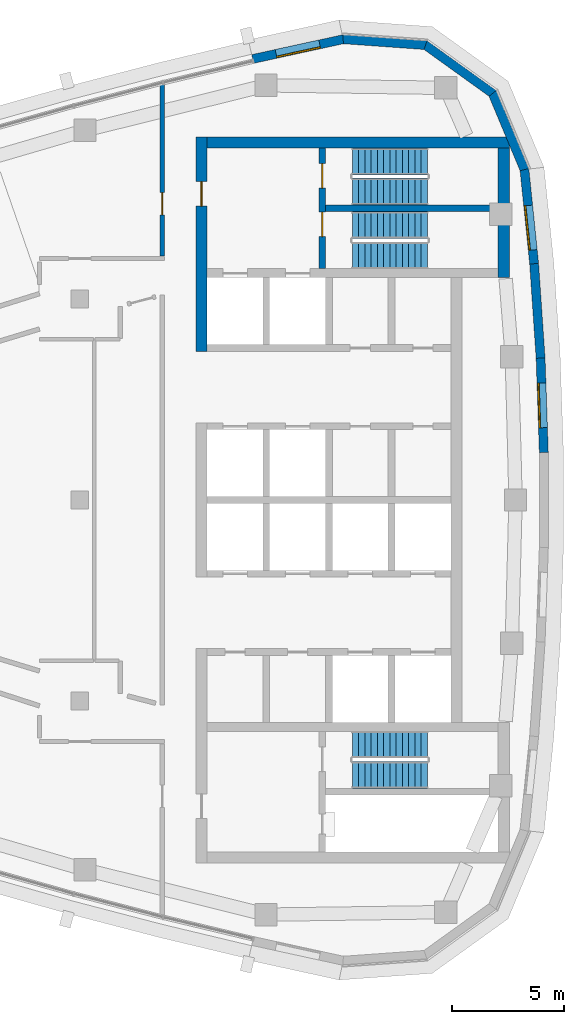
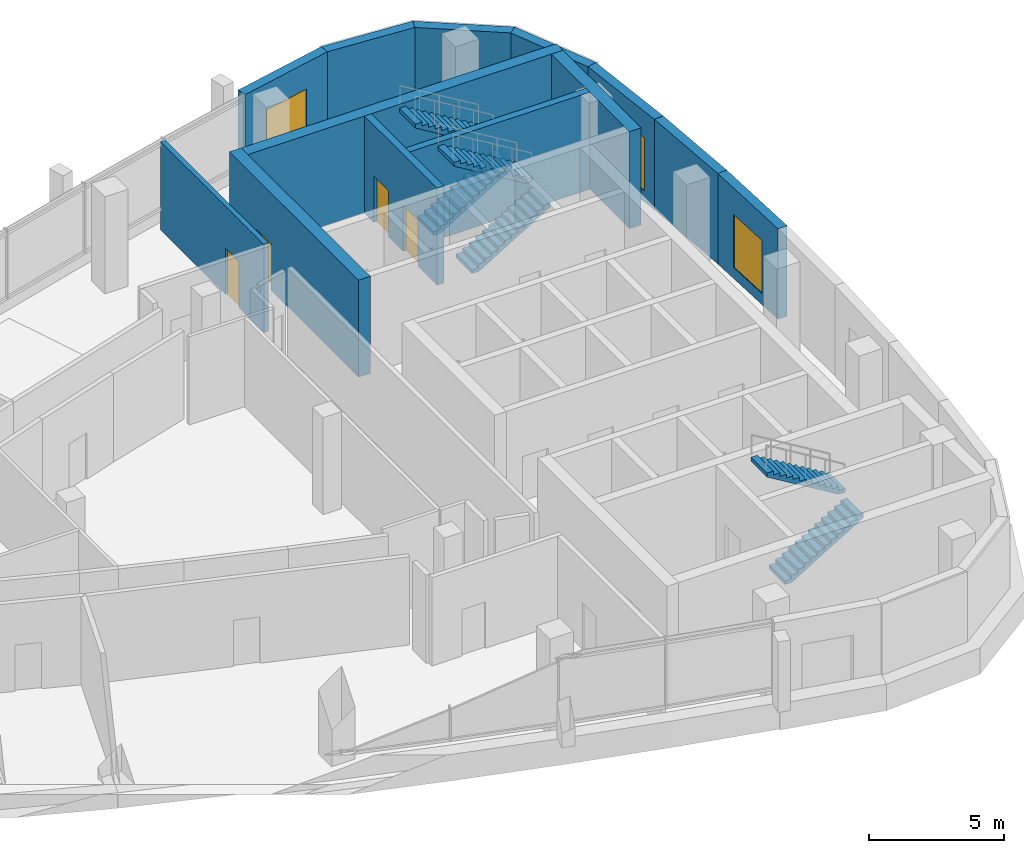
# One storey, part 10 of 15: 13 walls, 6 stair flights, 4 doors, 3 windows, 7 openings, 3 elements without a shape of their own.
"""IFC4 building model written with IfcOpenShell, lengths in metres."""

from ifc_helpers import new_model, si_unit, direction, frame, frame_2d, origin, place, context, subcontext, project, spatial, polyline, rectangle, outline, extrude, material, layer, layer_set, type_object, element, fill, aggregate, save


model = new_model("IFC4")

# Units and contexts
model_context = context("Model", 3, precision=1e-05, world=origin(), true_north=direction((0.0, 1.0)))
body_context = subcontext(model_context, "Body", "Model", "MODEL_VIEW")
ifc_project = project(units=[si_unit("LENGTHUNIT", "METRE"), si_unit("AREAUNIT", "SQUARE_METRE"), si_unit("VOLUMEUNIT", "CUBIC_METRE"), si_unit("PLANEANGLEUNIT", "RADIAN"), si_unit("MASSUNIT", "GRAM", prefix="KILO")], contexts=[model_context])

# Site, building, storey
site_placement = place(None, origin())
site = spatial("IfcSite", under=ifc_project, at=site_placement, CompositionType="ELEMENT")
building_placement = place(site_placement, origin())
building = spatial("IfcBuilding", under=site, at=building_placement, Name="Ostrand Prow Hotel Tower", CompositionType="ELEMENT")
storey_placement = place(building_placement, frame((0.0, 0.0, 318.60009765625)))
storey = spatial("IfcBuildingStorey", under=building, at=storey_placement, Name="C3", CompositionType="ELEMENT", Elevation=318.60009765625)

# Wall, openings, doors
ifc_material_1 = material(Name="Concrete C40/50", Category="concrete")
ifc_layer_1 = layer(ifc_material_1, 0.300048828125)
ifc_layer_set_1 = layer_set([ifc_layer_1], Name="Concrete C40/50")
wall_type_1 = type_object("IfcWallType", Name="Core wall 300 C40/50", PredefinedType="SHEAR", material=ifc_layer_set_1)
wall_1_placement = place(storey_placement, frame((55.85009765625, 10.35009765625, 0.0), z_axis=(0.0, 0.0, 1.0), x_axis=(0.0, 1.0, 0.0)))
wall_1 = element("IfcWall", 1, at=wall_1_placement, inside=storey, type_object=wall_type_1, Name="Core wall PW-VN", PredefinedType="SHEAR", context=body_context, shape_type="SweptSolid", body=[
    extrude(rectangle(XDim=5.39990234375, YDim=0.300048828125, at=frame_2d((2.699951171875, 0.0))), origin(), (0.0, 0.0, 1.0), 4.39990234375),
])
opening_1_placement = place(wall_1_placement, frame((1.429931640625, 0.0, 0.0)))
opening_1 = element("IfcOpeningElement", 2, at=opening_1_placement, cuts=wall_1, Name="Opening FD1", PredefinedType="OPENING", context=body_context, shape_type="SweptSolid", body=[
    extrude(rectangle(XDim=1.10009765625, YDim=2.10009765625, at=frame_2d((0.550048828125, 1.050048828125))), frame((0.0, 0.159912109375, 0.0), z_axis=(0.0, -1.0, 0.0), x_axis=(1.0, 0.0, 0.0)), (0.0, 0.0, 1.0), 0.320068359375),
])
opening_2_placement = place(wall_1_placement, frame((3.60009765625, 0.0, 0.0)))
opening_2 = element("IfcOpeningElement", 3, at=opening_2_placement, cuts=wall_1, Name="Opening FD1", PredefinedType="OPENING", context=body_context, shape_type="SweptSolid", body=[
    extrude(rectangle(XDim=1.10009765625, YDim=2.10009765625, at=frame_2d((0.550048828125, 1.050048828125))), frame((0.0, 0.159912109375, 0.0), z_axis=(0.0, -1.0, 0.0), x_axis=(1.0, 0.0, 0.0)), (0.0, 0.0, 1.0), 0.320068359375),
])
ifc_material_2 = material(Name="Steel fire door", Category="steel")
door_type_1 = type_object("IfcDoorType", Name="Fire door 1100 EI120", OperationType="SINGLE_SWING_RIGHT", PredefinedType="DOOR", material=ifc_material_2)
door_1_placement = place(opening_1_placement, origin())
door_1 = element("IfcDoor", 4, at=door_1_placement, inside=storey, type_object=door_type_1, Name="FIRE DOOR", OperationType="SINGLE_SWING_RIGHT", OverallHeight=2.10009765625, OverallWidth=1.10009765625, PredefinedType="DOOR", context=body_context, shape_type="SweptSolid", body=[
    extrude(rectangle(XDim=1.10009765625, YDim=2.10009765625, at=frame_2d((0.550048828125, 1.050048828125))), frame((0.0, 0.02490234375, 0.0), z_axis=(0.0, -1.0, 0.0), x_axis=(1.0, 0.0, 0.0)), (0.0, 0.0, 1.0), 0.050048828125),
])
fill(opening_1, door_1)
door_2_placement = place(opening_2_placement, origin())
door_2 = element("IfcDoor", 5, at=door_2_placement, inside=storey, type_object=door_type_1, Name="FIRE DOOR", OperationType="SINGLE_SWING_RIGHT", OverallHeight=2.10009765625, OverallWidth=1.10009765625, PredefinedType="DOOR", context=body_context, shape_type="SweptSolid", body=[
    extrude(rectangle(XDim=1.10009765625, YDim=2.10009765625, at=frame_2d((0.550048828125, 1.050048828125))), frame((0.0, 0.02490234375, 0.0), z_axis=(0.0, -1.0, 0.0), x_axis=(1.0, 0.0, 0.0)), (0.0, 0.0, 1.0), 0.050048828125),
])
fill(opening_2, door_2)

# Wall
wall_2_placement = place(storey_placement, frame((56.0, 13.050048828125, 0.0), z_axis=(0.0, 0.0, 1.0), x_axis=(1.0, 0.0, 0.0)))
element("IfcWall", 6, at=wall_2_placement, inside=storey, type_object=wall_type_1, Name="Core wall PW-ST13", PredefinedType="SHEAR", context=body_context, shape_type="SweptSolid", body=[
    extrude(rectangle(XDim=7.719970703125, YDim=0.300048828125, at=frame_2d((3.85986328125, 0.0))), origin(), (0.0, 0.0, 1.0), 4.39990234375),
])

# Wall, opening, door
ifc_material_3 = material(Name="Concrete C40/50", Category="concrete")
ifc_layer_2 = layer(ifc_material_3, 0.5)
ifc_layer_set_2 = layer_set([ifc_layer_2], Name="Concrete C40/50")
wall_type_2 = type_object("IfcWallType", Name="Core wall 500 C40/50", PredefinedType="SHEAR", material=ifc_layer_set_2)
wall_3_placement = place(storey_placement, frame((50.449951171875, 6.64990234375, 0.0), z_axis=(0.0, 0.0, 1.0), x_axis=(0.0, 1.0, 0.0)))
wall_3 = element("IfcWall", 7, at=wall_3_placement, inside=storey, type_object=wall_type_2, Name="Core wall CW-W-N", PredefinedType="SHEAR", context=body_context, shape_type="SweptSolid", body=[
    extrude(rectangle(XDim=9.60009765625, YDim=0.5, at=frame_2d((4.800048828125, 0.0))), origin(), (0.0, 0.0, 1.0), 4.39990234375),
])
opening_3_placement = place(wall_3_placement, frame((6.5, 0.0, 0.0)))
opening_3 = element("IfcOpeningElement", 8, at=opening_3_placement, cuts=wall_3, Name="Opening FD1", PredefinedType="OPENING", context=body_context, shape_type="SweptSolid", body=[
    extrude(rectangle(XDim=1.10009765625, YDim=2.10009765625, at=frame_2d((0.550048828125, 1.050048828125))), frame((0.0, 0.260009765625, 0.0), z_axis=(0.0, -1.0, 0.0), x_axis=(1.0, 0.0, 0.0)), (0.0, 0.0, 1.0), 0.52001953125),
])
door_3_placement = place(opening_3_placement, origin())
door_3 = element("IfcDoor", 9, at=door_3_placement, inside=storey, type_object=door_type_1, Name="FIRE DOOR", OperationType="SINGLE_SWING_RIGHT", OverallHeight=2.10009765625, OverallWidth=1.10009765625, PredefinedType="DOOR", context=body_context, shape_type="SweptSolid", body=[
    extrude(rectangle(XDim=1.10009765625, YDim=2.10009765625, at=frame_2d((0.550048828125, 1.050048828125))), frame((0.0, 0.02490234375, 0.0), z_axis=(0.0, -1.0, 0.0), x_axis=(1.0, 0.0, 0.0)), (0.0, 0.0, 1.0), 0.050048828125),
])
fill(opening_3, door_3)

# Walls
wall_4_placement = place(storey_placement, frame((50.699951171875, 16.0, 0.0), z_axis=(0.0, 0.0, 1.0), x_axis=(1.0, 0.0, 0.0)))
element("IfcWall", 10, at=wall_4_placement, inside=storey, type_object=wall_type_2, Name="Core wall CW-N", PredefinedType="SHEAR", context=body_context, shape_type="SweptSolid", body=[
    extrude(rectangle(XDim=13.52001953125, YDim=0.5, at=frame_2d((6.760009765625, 0.0))), origin(), (0.0, 0.0, 1.0), 4.39990234375),
])
wall_5_placement = place(storey_placement, frame((63.969970703125, 9.949951171875, 0.0), z_axis=(0.0, 0.0, 1.0), x_axis=(0.0, 1.0, 0.0)))
element("IfcWall", 11, at=wall_5_placement, inside=storey, type_object=wall_type_2, Name="Core wall CW-E-N", PredefinedType="SHEAR", context=body_context, shape_type="SweptSolid", body=[
    extrude(rectangle(XDim=5.800048828125, YDim=0.5, at=frame_2d((2.89990234375, 0.0))), origin(), (0.0, 0.0, 1.0), 4.39990234375),
])

# Wall, opening, door
ifc_material_4 = material(Name="Plasterboard partition")
ifc_layer_3 = layer(ifc_material_4, 0.199951171875)
ifc_layer_set_3 = layer_set([ifc_layer_3], Name="Plasterboard partition")
wall_type_3 = type_object("IfcWallType", Name="Partition 200 corridor wall", PredefinedType="PARTITIONING", material=ifc_layer_set_3)
wall_6_placement = place(storey_placement, frame((48.695068359375, 18.589111328125, 0.0), z_axis=(0.0, 0.0, 1.0), x_axis=(0.0, -1.0, 0.0)))
wall_6 = element("IfcWall", 12, at=wall_6_placement, inside=storey, type_object=wall_type_3, Name="CORRIDOR WALL", PredefinedType="PARTITIONING", context=body_context, shape_type="SweptSolid", body=[
    extrude(rectangle(XDim=7.674072265625, YDim=0.199951171875, at=frame_2d((3.8369140625, 0.0))), origin(), (0.0, 0.0, 1.0), 4.0),
])
opening_4_placement = place(wall_6_placement, frame((4.835693359375, 0.0, 0.0)))
opening_4 = element("IfcOpeningElement", 13, at=opening_4_placement, cuts=wall_6, Name="Opening D1", PredefinedType="OPENING", context=body_context, shape_type="SweptSolid", body=[
    extrude(rectangle(XDim=1.0, YDim=2.10009765625, at=frame_2d((0.5, 1.050048828125))), frame((0.0, 0.10986328125, 0.0), z_axis=(0.0, -1.0, 0.0), x_axis=(1.0, 0.0, 0.0)), (0.0, 0.0, 1.0), 0.219970703125),
])
ifc_material_5 = material(Name="Timber door leaf", Category="wood")
door_type_2 = type_object("IfcDoorType", Name="Guest room door 1000", OperationType="SINGLE_SWING_LEFT", PredefinedType="DOOR", material=ifc_material_5)
door_4_placement = place(opening_4_placement, origin())
door_4 = element("IfcDoor", 14, at=door_4_placement, inside=storey, type_object=door_type_2, Name="DOOR", OperationType="SINGLE_SWING_LEFT", OverallHeight=2.10009765625, OverallWidth=1.0, PredefinedType="DOOR", context=body_context, shape_type="SweptSolid", body=[
    extrude(rectangle(XDim=1.0, YDim=2.10009765625, at=frame_2d((0.5, 1.050048828125))), frame((0.0, 0.02490234375, 0.0), z_axis=(0.0, -1.0, 0.0), x_axis=(1.0, 0.0, 0.0)), (0.0, 0.0, 1.0), 0.050048828125),
])
fill(opening_4, door_4)

# Wall, opening, window
ifc_material_6 = material(Name="Precast concrete C40/50", Category="concrete")
ifc_layer_4 = layer(ifc_material_6, 0.39990234375)
ifc_layer_set_4 = layer_set([ifc_layer_4], Name="Precast concrete C40/50")
wall_type_4 = type_object("IfcWallType", Name="Stone-faced precast wall 400 mm", PredefinedType="NOTDEFINED", material=ifc_layer_set_4)
wall_7_placement = place(storey_placement, frame((65.764404296875, 2.11669921875, 0.0), z_axis=(0.0, 0.0, 1.0), x_axis=(-0.034082898699, 0.999419009233, 0.0)))
wall_7 = element("IfcWall", 15, at=wall_7_placement, inside=storey, type_object=wall_type_4, Name="Stone-faced wall back 9", PredefinedType="NOTDEFINED", context=body_context, shape_type="SweptSolid", body=[
    extrude(outline(polyline([(-0.00341796875, -0.199951171875), (4.23681640625, -0.199951171875), (4.22998046875, 0.199951171875), (0.00341796875, 0.199951171875), (-0.00341796875, -0.199951171875)])), origin(), (0.0, 0.0, 1.0), 4.099853515625),
])
opening_5_placement = place(wall_7_placement, frame((1.11669921875, 0.0, 0.5)))
opening_5 = element("IfcOpeningElement", 16, at=opening_5_placement, cuts=wall_7, Name="Opening WL1", PredefinedType="OPENING", context=body_context, shape_type="SweptSolid", body=[
    extrude(rectangle(XDim=2.0, YDim=2.39990234375, at=frame_2d((1.0, 1.199951171875))), frame((0.0, 0.2099609375, 0.0), z_axis=(0.0, -1.0, 0.0), x_axis=(1.0, 0.0, 0.0)), (0.0, 0.0, 1.0), 0.419921875),
])
ifc_material_7 = material(Name="Insulated glass in bronze frame", Category="glass")
window_type = type_object("IfcWindowType", Name="Crown lounge window 2000x2400", PartitioningType="SINGLE_PANEL", PredefinedType="WINDOW", material=ifc_material_7)
window_1_placement = place(opening_5_placement, origin())
window_1 = element("IfcWindow", 17, at=window_1_placement, inside=storey, type_object=window_type, Name="Window back 9.1", OverallHeight=2.39990234375, OverallWidth=2.0, PartitioningType="SINGLE_PANEL", PredefinedType="WINDOW", context=body_context, shape_type="SweptSolid", body=[
    extrude(rectangle(XDim=2.0, YDim=2.39990234375, at=frame_2d((1.0, 1.199951171875))), frame((0.0, 0.169921875, 0.0), z_axis=(0.0, -1.0, 0.0), x_axis=(1.0, 0.0, 0.0)), (0.0, 0.0, 1.0), 0.06005859375),
])
fill(opening_5, window_1)

# Wall
wall_8_placement = place(storey_placement, frame((65.6201171875, 6.34765625, 0.0), z_axis=(0.0, 0.0, 1.0), x_axis=(-0.068279584479, 0.997666225921, 0.0)))
element("IfcWall", 18, at=wall_8_placement, inside=storey, type_object=wall_type_4, Name="Stone-faced wall back 10", PredefinedType="NOTDEFINED", context=body_context, shape_type="SweptSolid", body=[
    extrude(outline(polyline([(-0.00341796875, -0.199951171875), (4.23681640625, -0.199951171875), (4.22998046875, 0.199951171875), (0.00341796875, 0.199951171875), (-0.00341796875, -0.199951171875)])), origin(), (0.0, 0.0, 1.0), 4.099853515625),
])

# Wall, opening, window
wall_9_placement = place(storey_placement, frame((65.3310546875, 10.5712890625, 0.0), z_axis=(0.0, 0.0, 1.0), x_axis=(-0.102249826987, 0.994758751096, 0.0)))
wall_9 = element("IfcWall", 19, at=wall_9_placement, inside=storey, type_object=wall_type_4, Name="Stone-faced wall back 11", PredefinedType="NOTDEFINED", context=body_context, shape_type="SweptSolid", body=[
    extrude(outline(polyline([(-0.00341796875, -0.199951171875), (4.262939453125, -0.199951171875), (4.203857421875, 0.199951171875), (0.00341796875, 0.199951171875), (-0.00341796875, -0.199951171875)])), origin(), (0.0, 0.0, 1.0), 4.099853515625),
])
opening_6_placement = place(wall_9_placement, frame((0.61669921875, 0.0, 0.5)))
opening_6 = element("IfcOpeningElement", 20, at=opening_6_placement, cuts=wall_9, Name="Opening WL1", PredefinedType="OPENING", context=body_context, shape_type="SweptSolid", body=[
    extrude(rectangle(XDim=2.0, YDim=2.39990234375, at=frame_2d((1.0, 1.199951171875))), frame((0.0, 0.2099609375, 0.0), z_axis=(0.0, -1.0, 0.0), x_axis=(1.0, 0.0, 0.0)), (0.0, 0.0, 1.0), 0.419921875),
])
window_2_placement = place(opening_6_placement, origin())
window_2 = element("IfcWindow", 21, at=window_2_placement, inside=storey, type_object=window_type, Name="Window back 11.1", OverallHeight=2.39990234375, OverallWidth=2.0, PartitioningType="SINGLE_PANEL", PredefinedType="WINDOW", context=body_context, shape_type="SweptSolid", body=[
    extrude(rectangle(XDim=2.0, YDim=2.39990234375, at=frame_2d((1.0, 1.199951171875))), frame((0.0, 0.169921875, 0.0), z_axis=(0.0, -1.0, 0.0), x_axis=(1.0, 0.0, 0.0)), (0.0, 0.0, 1.0), 0.06005859375),
])
fill(opening_6, window_2)

# Walls
wall_10_placement = place(storey_placement, frame((64.898193359375, 14.782470703125, 0.0), z_axis=(0.0, 0.0, 1.0), x_axis=(-0.385285857918, 0.922797273343, 0.0)))
element("IfcWall", 22, at=wall_10_placement, inside=storey, type_object=wall_type_4, Name="Stone-faced wall back 12", PredefinedType="NOTDEFINED", context=body_context, shape_type="SweptSolid", body=[
    extrude(outline(polyline([(-0.029541015625, -0.199951171875), (3.75341796875, -0.199951171875), (3.64013671875, 0.199951171875), (0.029541015625, 0.199951171875), (-0.029541015625, -0.199951171875)])), origin(), (0.0, 0.0, 1.0), 4.099853515625),
])
wall_11_placement = place(storey_placement, frame((63.473876953125, 18.19384765625, 0.0), z_axis=(0.0, 0.0, 1.0), x_axis=(-0.811962548682, 0.583709533533, 0.0)))
element("IfcWall", 23, at=wall_11_placement, inside=storey, type_object=wall_type_4, Name="Stone-faced wall back 13", PredefinedType="NOTDEFINED", context=body_context, shape_type="SweptSolid", body=[
    extrude(outline(polyline([(-0.056640625, -0.199951171875), (3.753173828125, -0.199951171875), (3.639892578125, 0.199951171875), (0.056640625, 0.199951171875), (-0.056640625, -0.199951171875)])), origin(), (0.0, 0.0, 1.0), 4.099853515625),
])
wall_12_placement = place(storey_placement, frame((60.472412109375, 20.3515625, 0.0), z_axis=(0.0, 0.0, 1.0), x_axis=(-0.99746272096, 0.071190731806, 0.0)))
element("IfcWall", 24, at=wall_12_placement, inside=storey, type_object=wall_type_4, Name="Stone-faced wall back 14", PredefinedType="NOTDEFINED", context=body_context, shape_type="SweptSolid", body=[
    extrude(outline(polyline([(-0.056640625, -0.199951171875), (3.7255859375, -0.199951171875), (3.66796875, 0.199951171875), (0.056640625, 0.199951171875), (-0.056640625, -0.199951171875)])), origin(), (0.0, 0.0, 1.0), 4.099853515625),
])

# Wall, opening, window
wall_13_placement = place(storey_placement, frame((56.784912109375, 20.61474609375, 0.0), z_axis=(0.0, 0.0, 1.0), x_axis=(-0.977020225348, -0.213146614471, 0.0)))
wall_13 = element("IfcWall", 25, at=wall_13_placement, inside=storey, type_object=wall_type_4, Name="Stone-faced wall back 15", PredefinedType="NOTDEFINED", context=body_context, shape_type="SweptSolid", body=[
    extrude(outline(polyline([(-0.02880859375, -0.199951171875), (4.141845703125, -0.199951171875), (4.141845703125, 0.199951171875), (0.02880859375, 0.199951171875), (-0.02880859375, -0.199951171875)])), origin(), (0.0, 0.0, 1.0), 4.099853515625),
])
opening_7_placement = place(wall_13_placement, frame((1.07080078125, 0.0, 0.5)))
opening_7 = element("IfcOpeningElement", 26, at=opening_7_placement, cuts=wall_13, Name="Opening WL1", PredefinedType="OPENING", context=body_context, shape_type="SweptSolid", body=[
    extrude(rectangle(XDim=2.0, YDim=2.39990234375, at=frame_2d((1.0, 1.199951171875))), frame((0.0, 0.2099609375, 0.0), z_axis=(0.0, -1.0, 0.0), x_axis=(1.0, 0.0, 0.0)), (0.0, 0.0, 1.0), 0.419921875),
])
window_3_placement = place(opening_7_placement, origin())
window_3 = element("IfcWindow", 27, at=window_3_placement, inside=storey, type_object=window_type, Name="Window back 15.1", OverallHeight=2.39990234375, OverallWidth=2.0, PartitioningType="SINGLE_PANEL", PredefinedType="WINDOW", context=body_context, shape_type="SweptSolid", body=[
    extrude(rectangle(XDim=2.0, YDim=2.39990234375, at=frame_2d((1.0, 1.199951171875))), frame((0.0, 0.169921875, 0.0), z_axis=(0.0, -1.0, 0.0), x_axis=(1.0, 0.0, 0.0)), (0.0, 0.0, 1.0), 0.06005859375),
])
fill(opening_7, window_3)

# Stair, stair flights
ifc_material_8 = material(Name="Concrete C40/50", Category="concrete")
stair_type = type_object("IfcStairType", Name="Exit stair 1200 upper zone", PredefinedType="HALF_TURN_STAIR", material=ifc_material_8)
stair_1_placement = place(storey_placement, origin())
stair_1 = element("IfcStair", 28, at=stair_1_placement, inside=storey, type_object=stair_type, Name="C3 ST1C", PredefinedType="HALF_TURN_STAIR")
ifc_material_9 = material(Name="Concrete C40/50", Category="concrete")
stair_flight_type = type_object("IfcStairFlightType", Name="Stair flight 1200 concrete", PredefinedType="STRAIGHT", material=ifc_material_9)
stair_flight_1_placement = place(storey_placement, frame((57.199951171875, 10.949951171875, 0.0), z_axis=(0.0, 0.0, 1.0), x_axis=(1.0, 0.0, 0.0)))
stair_flight_1 = element("IfcStairFlight", 29, at=stair_flight_1_placement, type_object=stair_flight_type, Name="ST1C flight 1", NumberOfRisers=13, NumberOfTreads=12, PredefinedType="STRAIGHT", RiserHeight=0.169230769, TreadLength=0.28, context=body_context, shape_type="SweptSolid", body=[
    extrude(outline(polyline([(0.0, 0.0), (0.0, 0.169189453125), (0.280029296875, 0.169189453125), (0.280029296875, 0.33837890625), (0.56005859375, 0.33837890625), (0.56005859375, 0.5078125), (0.840087890625, 0.5078125), (0.840087890625, 0.677001953125), (1.1201171875, 0.677001953125), (1.1201171875, 0.84619140625), (1.39990234375, 0.84619140625), (1.39990234375, 1.015380859375), (1.679931640625, 1.015380859375), (1.679931640625, 1.1845703125), (1.9599609375, 1.1845703125), (1.9599609375, 1.353759765625), (2.239990234375, 1.353759765625), (2.239990234375, 1.523193359375), (2.52001953125, 1.523193359375), (2.52001953125, 1.6923828125), (2.800048828125, 1.6923828125), (2.800048828125, 1.861572265625), (3.080078125, 1.861572265625), (3.080078125, 2.03076171875), (3.360107421875, 2.03076171875), (3.360107421875, 2.199951171875), (3.360107421875, 1.855712890625), (0.289794921875, 0.0), (0.0, 0.0)])), frame((0.0, 0.60009765625, 0.0), z_axis=(0.0, -1.0, 0.0), x_axis=(1.0, 0.0, 0.0)), (0.0, 0.0, 1.0), 1.199951171875),
])
stair_flight_2_placement = place(storey_placement, frame((60.56005859375, 12.300048828125, 2.199951171875), z_axis=(0.0, 0.0, 1.0), x_axis=(-1.0, 0.0, 0.0)))
stair_flight_2 = element("IfcStairFlight", 30, at=stair_flight_2_placement, type_object=stair_flight_type, Name="ST1C flight 2", NumberOfRisers=13, NumberOfTreads=12, PredefinedType="STRAIGHT", RiserHeight=0.169230769, TreadLength=0.28, context=body_context, shape_type="SweptSolid", body=[
    extrude(outline(polyline([(0.0, 0.0), (0.0, 0.169189453125), (0.280029296875, 0.169189453125), (0.280029296875, 0.33837890625), (0.56005859375, 0.33837890625), (0.56005859375, 0.5078125), (0.840087890625, 0.5078125), (0.840087890625, 0.677001953125), (1.1201171875, 0.677001953125), (1.1201171875, 0.84619140625), (1.39990234375, 0.84619140625), (1.39990234375, 1.015380859375), (1.679931640625, 1.015380859375), (1.679931640625, 1.1845703125), (1.9599609375, 1.1845703125), (1.9599609375, 1.353759765625), (2.239990234375, 1.353759765625), (2.239990234375, 1.523193359375), (2.52001953125, 1.523193359375), (2.52001953125, 1.6923828125), (2.800048828125, 1.6923828125), (2.800048828125, 1.861572265625), (3.080078125, 1.861572265625), (3.080078125, 2.03076171875), (3.360107421875, 2.03076171875), (3.360107421875, 2.199951171875), (3.360107421875, 1.855712890625), (0.289794921875, 0.0), (0.0, 0.0)])), frame((0.0, 0.60009765625, 0.0), z_axis=(0.0, -1.0, 0.0), x_axis=(1.0, 0.0, 0.0)), (0.0, 0.0, 1.0), 1.199951171875),
])
aggregate(stair_1, [stair_flight_1, stair_flight_2])

stair_2_placement = place(storey_placement, origin())
stair_2 = element("IfcStair", 31, at=stair_2_placement, inside=storey, type_object=stair_type, Name="C3 ST3C", PredefinedType="HALF_TURN_STAIR")
stair_flight_3_placement = place(storey_placement, frame((57.199951171875, 13.800048828125, 0.0), z_axis=(0.0, 0.0, 1.0), x_axis=(1.0, 0.0, 0.0)))
stair_flight_3 = element("IfcStairFlight", 32, at=stair_flight_3_placement, type_object=stair_flight_type, Name="ST3C flight 1", NumberOfRisers=13, NumberOfTreads=12, PredefinedType="STRAIGHT", RiserHeight=0.169230769, TreadLength=0.28, context=body_context, shape_type="SweptSolid", body=[
    extrude(outline(polyline([(0.0, 0.0), (0.0, 0.169189453125), (0.280029296875, 0.169189453125), (0.280029296875, 0.33837890625), (0.56005859375, 0.33837890625), (0.56005859375, 0.5078125), (0.840087890625, 0.5078125), (0.840087890625, 0.677001953125), (1.1201171875, 0.677001953125), (1.1201171875, 0.84619140625), (1.39990234375, 0.84619140625), (1.39990234375, 1.015380859375), (1.679931640625, 1.015380859375), (1.679931640625, 1.1845703125), (1.9599609375, 1.1845703125), (1.9599609375, 1.353759765625), (2.239990234375, 1.353759765625), (2.239990234375, 1.523193359375), (2.52001953125, 1.523193359375), (2.52001953125, 1.6923828125), (2.800048828125, 1.6923828125), (2.800048828125, 1.861572265625), (3.080078125, 1.861572265625), (3.080078125, 2.03076171875), (3.360107421875, 2.03076171875), (3.360107421875, 2.199951171875), (3.360107421875, 1.855712890625), (0.289794921875, 0.0), (0.0, 0.0)])), frame((0.0, 0.60009765625, 0.0), z_axis=(0.0, -1.0, 0.0), x_axis=(1.0, 0.0, 0.0)), (0.0, 0.0, 1.0), 1.199951171875),
])
stair_flight_4_placement = place(storey_placement, frame((60.56005859375, 15.14990234375, 2.199951171875), z_axis=(0.0, 0.0, 1.0), x_axis=(-1.0, 0.0, 0.0)))
stair_flight_4 = element("IfcStairFlight", 33, at=stair_flight_4_placement, type_object=stair_flight_type, Name="ST3C flight 2", NumberOfRisers=13, NumberOfTreads=12, PredefinedType="STRAIGHT", RiserHeight=0.169230769, TreadLength=0.28, context=body_context, shape_type="SweptSolid", body=[
    extrude(outline(polyline([(0.0, 0.0), (0.0, 0.169189453125), (0.280029296875, 0.169189453125), (0.280029296875, 0.33837890625), (0.56005859375, 0.33837890625), (0.56005859375, 0.5078125), (0.840087890625, 0.5078125), (0.840087890625, 0.677001953125), (1.1201171875, 0.677001953125), (1.1201171875, 0.84619140625), (1.39990234375, 0.84619140625), (1.39990234375, 1.015380859375), (1.679931640625, 1.015380859375), (1.679931640625, 1.1845703125), (1.9599609375, 1.1845703125), (1.9599609375, 1.353759765625), (2.239990234375, 1.353759765625), (2.239990234375, 1.523193359375), (2.52001953125, 1.523193359375), (2.52001953125, 1.6923828125), (2.800048828125, 1.6923828125), (2.800048828125, 1.861572265625), (3.080078125, 1.861572265625), (3.080078125, 2.03076171875), (3.360107421875, 2.03076171875), (3.360107421875, 2.199951171875), (3.360107421875, 1.855712890625), (0.289794921875, 0.0), (0.0, 0.0)])), frame((0.0, 0.60009765625, 0.0), z_axis=(0.0, -1.0, 0.0), x_axis=(1.0, 0.0, 0.0)), (0.0, 0.0, 1.0), 1.199951171875),
])
aggregate(stair_2, [stair_flight_3, stair_flight_4])

stair_3_placement = place(storey_placement, origin())
stair_3 = element("IfcStair", 34, at=stair_3_placement, inside=storey, type_object=stair_type, Name="C3 ST2C", PredefinedType="HALF_TURN_STAIR")
stair_flight_5_placement = place(storey_placement, frame((57.199951171875, -12.300048828125, 0.0), z_axis=(0.0, 0.0, 1.0), x_axis=(1.0, 0.0, 0.0)))
stair_flight_5 = element("IfcStairFlight", 35, at=stair_flight_5_placement, type_object=stair_flight_type, Name="ST2C flight 1", NumberOfRisers=13, NumberOfTreads=12, PredefinedType="STRAIGHT", RiserHeight=0.169230769, TreadLength=0.28, context=body_context, shape_type="SweptSolid", body=[
    extrude(outline(polyline([(0.0, 0.0), (0.0, 0.169189453125), (0.280029296875, 0.169189453125), (0.280029296875, 0.33837890625), (0.56005859375, 0.33837890625), (0.56005859375, 0.5078125), (0.840087890625, 0.5078125), (0.840087890625, 0.677001953125), (1.1201171875, 0.677001953125), (1.1201171875, 0.84619140625), (1.39990234375, 0.84619140625), (1.39990234375, 1.015380859375), (1.679931640625, 1.015380859375), (1.679931640625, 1.1845703125), (1.9599609375, 1.1845703125), (1.9599609375, 1.353759765625), (2.239990234375, 1.353759765625), (2.239990234375, 1.523193359375), (2.52001953125, 1.523193359375), (2.52001953125, 1.6923828125), (2.800048828125, 1.6923828125), (2.800048828125, 1.861572265625), (3.080078125, 1.861572265625), (3.080078125, 2.03076171875), (3.360107421875, 2.03076171875), (3.360107421875, 2.199951171875), (3.360107421875, 1.855712890625), (0.289794921875, 0.0), (0.0, 0.0)])), frame((0.0, 0.60009765625, 0.0), z_axis=(0.0, -1.0, 0.0), x_axis=(1.0, 0.0, 0.0)), (0.0, 0.0, 1.0), 1.199951171875),
])
stair_flight_6_placement = place(storey_placement, frame((60.56005859375, -10.949951171875, 2.199951171875), z_axis=(0.0, 0.0, 1.0), x_axis=(-1.0, 0.0, 0.0)))
stair_flight_6 = element("IfcStairFlight", 36, at=stair_flight_6_placement, type_object=stair_flight_type, Name="ST2C flight 2", NumberOfRisers=13, NumberOfTreads=12, PredefinedType="STRAIGHT", RiserHeight=0.169230769, TreadLength=0.28, context=body_context, shape_type="SweptSolid", body=[
    extrude(outline(polyline([(0.0, 0.0), (0.0, 0.169189453125), (0.280029296875, 0.169189453125), (0.280029296875, 0.33837890625), (0.56005859375, 0.33837890625), (0.56005859375, 0.5078125), (0.840087890625, 0.5078125), (0.840087890625, 0.677001953125), (1.1201171875, 0.677001953125), (1.1201171875, 0.84619140625), (1.39990234375, 0.84619140625), (1.39990234375, 1.015380859375), (1.679931640625, 1.015380859375), (1.679931640625, 1.1845703125), (1.9599609375, 1.1845703125), (1.9599609375, 1.353759765625), (2.239990234375, 1.353759765625), (2.239990234375, 1.523193359375), (2.52001953125, 1.523193359375), (2.52001953125, 1.6923828125), (2.800048828125, 1.6923828125), (2.800048828125, 1.861572265625), (3.080078125, 1.861572265625), (3.080078125, 2.03076171875), (3.360107421875, 2.03076171875), (3.360107421875, 2.199951171875), (3.360107421875, 1.855712890625), (0.289794921875, 0.0), (0.0, 0.0)])), frame((0.0, 0.60009765625, 0.0), z_axis=(0.0, -1.0, 0.0), x_axis=(1.0, 0.0, 0.0)), (0.0, 0.0, 1.0), 1.199951171875),
])
aggregate(stair_3, [stair_flight_5, stair_flight_6])

save(model, "model.ifc")
